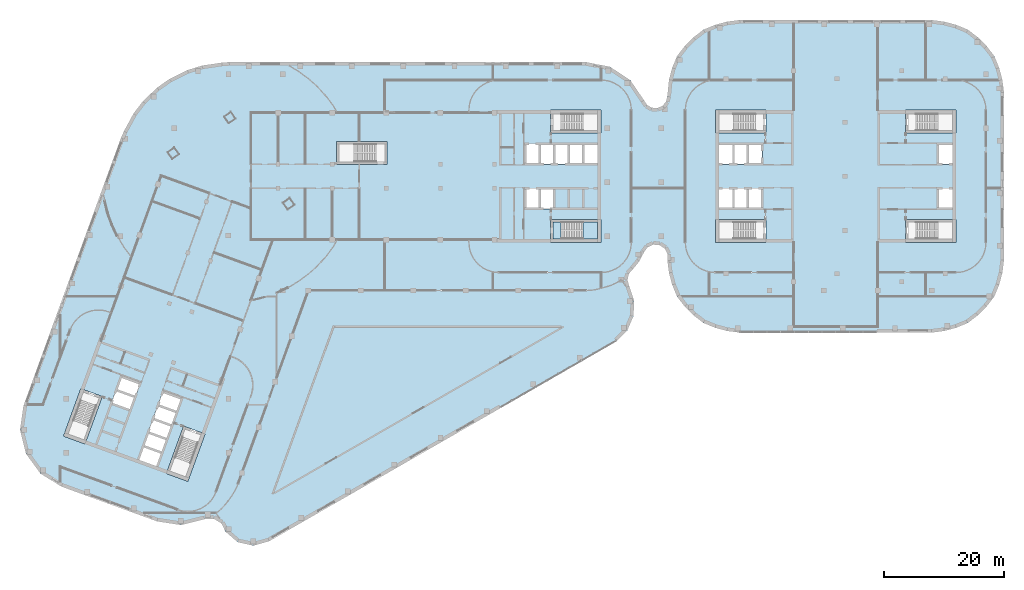
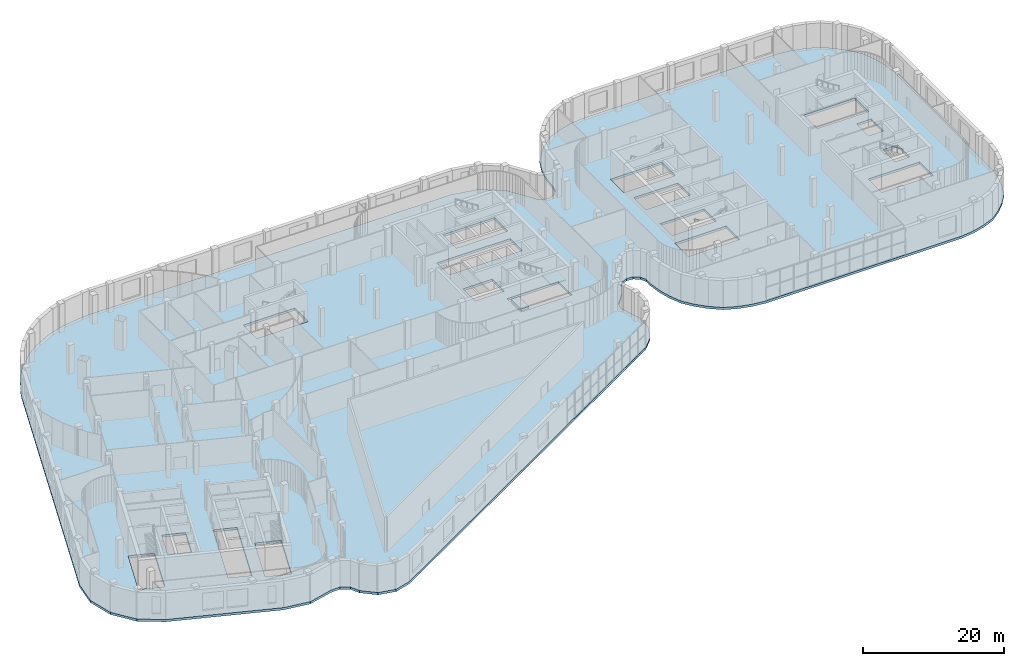
# One storey, part 6 of 24: 3 slabs, 1 element without a shape of its own.
"""IFC4 building model written with IfcOpenShell, lengths in metres."""

from ifc_helpers import new_model, si_unit, direction, frame, origin, place, context, subcontext, project, spatial, polyline, outline, extrude, material, layer, layer_set, type_object, element, aggregate, save


model = new_model("IFC4")

# Units and contexts
model_context = context("Model", 3, precision=1e-05, world=origin(), true_north=direction((0.0, 1.0)))
body_context = subcontext(model_context, "Body", "Model", "MODEL_VIEW")
ifc_project = project(units=[si_unit("LENGTHUNIT", "METRE"), si_unit("AREAUNIT", "SQUARE_METRE"), si_unit("VOLUMEUNIT", "CUBIC_METRE"), si_unit("PLANEANGLEUNIT", "RADIAN"), si_unit("MASSUNIT", "GRAM", prefix="KILO")], contexts=[model_context])

# Site, building, storey
site_placement = place(None, origin())
site = spatial("IfcSite", under=ifc_project, at=site_placement, CompositionType="ELEMENT")
building_placement = place(site_placement, origin())
building = spatial("IfcBuilding", under=site, at=building_placement, Name="Skarvind Civic Tower", CompositionType="ELEMENT")
storey_placement = place(building_placement, frame((0.0, 0.0, 12.5)))
storey = spatial("IfcBuildingStorey", under=building, at=storey_placement, Name="L02", CompositionType="ELEMENT", Elevation=12.5)

# Slabs
ifc_material_1 = material(Name="Concrete C50", Category="concrete")
ifc_layer_1 = layer(ifc_material_1, 0.39990234375)
ifc_layer_set_1 = layer_set([ifc_layer_1], Name="Podium floor slab 400 C50")
slab_type_1 = type_object("IfcSlabType", Name="Podium floor slab 400 C50", PredefinedType="FLOOR", material=ifc_layer_set_1)
slab_1_placement = place(storey_placement, frame((0.0, 0.0, -0.39990234375)))
element("IfcSlab", 1, at=slab_1_placement, inside=storey, type_object=slab_type_1, Name="Podium floor slab L02 1", PredefinedType="FLOOR", context=body_context, shape_type="SweptSolid", body=[
    extrude(outline(polyline([(52.751220703125, 67.291015625), (110.5869140625, 100.577880859375), (112.365234375, 102.4130859375), (113.374267578125, 104.760986328125), (113.4814453125, 107.314208984375), (112.6728515625, 109.73828125), (112.37109375, 110.751953125), (112.6005859375, 111.7841796875), (113.303466796875, 112.57470703125), (114.366455078125, 113.885009765625), (115.1328125, 115.388427734375), (115.75048828125, 116.2119140625), (116.6904296875, 116.63232421875), (117.716064453125, 116.54345703125), (118.56982421875, 115.968017578125), (119.036865234375, 115.05078125), (119.0, 114.021728515625), (119.2783203125, 111.908447265625), (119.8017578125, 109.95458984375), (120.610107421875, 108.001220703125), (121.897705078125, 106.32470703125), (123.32470703125, 104.897705078125), (125.001220703125, 103.610107421875), (126.95458984375, 102.8017578125), (128.908447265625, 102.2783203125), (131.021728515625, 102.0), (162.978271484375, 102.0), (165.091552734375, 102.2783203125), (167.04541015625, 102.8017578125), (168.998779296875, 103.610107421875), (170.67529296875, 104.897705078125), (172.102294921875, 106.32470703125), (173.389892578125, 108.001220703125), (174.1982421875, 109.95458984375), (174.7216796875, 111.908447265625), (175.0, 114.021728515625), (175.0, 141.978271484375), (174.7216796875, 144.091552734375), (174.1982421875, 146.04541015625), (173.389892578125, 147.998779296875), (172.102294921875, 149.67529296875), (170.67529296875, 151.102294921875), (168.998779296875, 152.389892578125), (167.04541015625, 153.1982421875), (165.091552734375, 153.7216796875), (162.978271484375, 154.0), (131.021728515625, 154.0), (128.908447265625, 153.7216796875), (126.95458984375, 153.1982421875), (125.001220703125, 152.389892578125), (123.32470703125, 151.102294921875), (121.897705078125, 149.67529296875), (120.610107421875, 147.998779296875), (119.8017578125, 146.04541015625), (119.2783203125, 144.091552734375), (119.0, 141.328369140625), (118.785400390625, 140.427490234375), (118.18798828125, 139.7197265625), (117.336181640625, 139.356689453125), (116.411865234375, 139.41650390625), (115.613525390625, 139.885986328125), (115.1123046875, 140.664794921875), (112.829345703125, 144.004638671875), (109.44921875, 146.227294921875), (105.478271484375, 147.0), (46.114013671875, 147.0), (44.900390625, 146.910400390625), (41.58837890625, 146.417724609375), (39.1904296875, 145.67041015625), (36.191162109375, 144.19775390625), (34.1337890625, 142.757080078125), (31.72412109375, 140.442626953125), (30.201904296875, 138.44482421875), (28.606201171875, 135.5009765625), (28.10693359375, 134.391357421875), (11.9072265625, 89.883544921875), (11.325439453125, 85.83349609375), (12.311279296875, 81.862548828125), (14.719482421875, 78.554931640625), (18.19580078125, 76.3974609375), (34.129638671875, 70.59814453125), (38.114990234375, 69.990478515625), (42.026611328125, 70.964111328125), (43.532470703125, 71.034423828125), (44.827880859375, 70.263916015625), (45.484619140625, 68.9072265625), (47.523193359375, 67.14111328125), (50.15625, 66.555419921875), (52.751220703125, 67.291015625)]), holes=[polyline([(32.625244140625, 85.40576171875), (32.625244140625, 85.40576171875), (33.446044921875, 87.660888671875), (34.26708984375, 89.916259765625), (35.087890625, 92.17138671875), (38.28271484375, 91.008544921875), (37.4619140625, 88.75341796875), (36.64111328125, 86.498046875), (35.8203125, 84.242919921875), (35.8203125, 84.242919921875), (34.99951171875, 81.987548828125), (34.178466796875, 79.732421875), (30.983642578125, 80.89501953125), (31.804443359375, 83.150390625), (32.625244140625, 85.40576171875)]), polyline([(35.664794921875, 78.552734375), (38.53759765625, 86.4462890625), (42.108642578125, 85.146484375), (39.235595703125, 77.253173828125), (35.664794921875, 78.552734375)]), polyline([(18.5625, 84.777587890625), (21.435302734375, 92.6708984375), (25.006103515625, 91.371337890625), (22.13330078125, 83.477783203125), (18.5625, 84.777587890625)]), polyline([(31.3291015625, 93.53955078125), (30.50830078125, 91.2841796875), (29.6875, 89.029052734375), (26.492431640625, 90.19189453125), (27.313232421875, 92.447021484375), (28.134033203125, 94.702392578125), (31.3291015625, 93.53955078125)]), polyline([(100.199951171875, 122.60009765625), (97.800048828125, 122.60009765625), (95.39990234375, 122.60009765625), (95.39990234375, 126.0), (97.800048828125, 126.0), (100.199951171875, 126.0), (100.199951171875, 122.60009765625)]), polyline([(102.60009765625, 133.39990234375), (105.0, 133.39990234375), (107.39990234375, 133.39990234375), (107.39990234375, 130.0), (105.0, 130.0), (102.60009765625, 130.0), (100.199951171875, 130.0), (97.800048828125, 130.0), (95.39990234375, 130.0), (95.39990234375, 133.39990234375), (97.800048828125, 133.39990234375), (100.199951171875, 133.39990234375), (102.60009765625, 133.39990234375)]), polyline([(64.0, 133.800048828125), (72.39990234375, 133.800048828125), (72.39990234375, 130.0), (64.0, 130.0), (64.0, 133.800048828125)]), polyline([(108.0, 135.199951171875), (99.60009765625, 135.199951171875), (99.60009765625, 139.0), (108.0, 139.0), (108.0, 135.199951171875)]), polyline([(108.0, 117.0), (99.60009765625, 117.0), (99.60009765625, 120.800048828125), (108.0, 120.800048828125), (108.0, 117.0)]), polyline([(127.0, 120.800048828125), (135.39990234375, 120.800048828125), (135.39990234375, 117.0), (127.0, 117.0), (127.0, 120.800048828125)]), polyline([(167.0, 117.0), (158.60009765625, 117.0), (158.60009765625, 120.800048828125), (167.0, 120.800048828125), (167.0, 117.0)]), polyline([(134.800048828125, 126.0), (134.800048828125, 122.60009765625), (132.39990234375, 122.60009765625), (130.0, 122.60009765625), (127.60009765625, 122.60009765625), (127.60009765625, 126.0), (130.0, 126.0), (132.39990234375, 126.0), (134.800048828125, 126.0)]), polyline([(166.39990234375, 122.60009765625), (164.0, 122.60009765625), (164.0, 126.0), (166.39990234375, 126.0), (166.39990234375, 122.60009765625)]), polyline([(134.800048828125, 133.39990234375), (134.800048828125, 130.0), (132.39990234375, 130.0), (130.0, 130.0), (127.60009765625, 130.0), (127.60009765625, 133.39990234375), (130.0, 133.39990234375), (132.39990234375, 133.39990234375), (134.800048828125, 133.39990234375)]), polyline([(166.39990234375, 130.0), (164.0, 130.0), (164.0, 133.39990234375), (166.39990234375, 133.39990234375), (166.39990234375, 130.0)]), polyline([(127.0, 139.0), (135.39990234375, 139.0), (135.39990234375, 135.199951171875), (127.0, 135.199951171875), (127.0, 139.0)]), polyline([(167.0, 135.199951171875), (158.60009765625, 135.199951171875), (158.60009765625, 139.0), (167.0, 139.0), (167.0, 135.199951171875)])]), origin(), (0.0, 0.0, 1.0), 0.39990234375),
])
ifc_material_2 = material(Name="Concrete C40/50", Category="concrete")
ifc_layer_2 = layer(ifc_material_2, 0.39990234375)
ifc_layer_set_2 = layer_set([ifc_layer_2], Name="Stair floor landing slab 400")
slab_type_2 = type_object("IfcSlabType", Name="Stair floor landing slab 400", PredefinedType="LANDING", material=ifc_layer_set_2)
slab_2_placement = place(storey_placement, frame((0.0, 0.0, -0.39990234375)))
element("IfcSlab", 2, at=slab_2_placement, inside=storey, type_object=slab_type_2, Name="Stair floor landing", PredefinedType="LANDING", context=body_context, shape_type="SweptSolid", body=[
    extrude(outline(polyline([(101.3505859375, 120.400634765625), (101.3505859375, 117.599365234375), (99.99951171875, 117.599365234375), (99.99951171875, 120.400634765625), (101.3505859375, 120.400634765625)])), origin(), (0.0, 0.0, 1.0), 0.39990234375),
])

# Stair, slab
stair_type = type_object("IfcStairType", Name="Exit stair, half-turn, concrete", PredefinedType="HALF_TURN_STAIR", material=ifc_material_2)
stair_placement = place(storey_placement, origin())
stair = element("IfcStair", 3, at=stair_placement, inside=storey, type_object=stair_type, Name="Exit stair C1N", PredefinedType="HALF_TURN_STAIR")
ifc_layer_3 = layer(ifc_material_2, 0.199951171875)
ifc_layer_set_3 = layer_set([ifc_layer_3], Name="Stair half landing slab")
slab_type_3 = type_object("IfcSlabType", Name="Stair half landing slab", PredefinedType="LANDING", material=ifc_layer_set_3)
slab_3_placement = place(storey_placement, frame((0.0, 0.0, 2.300048828125)))
slab_3 = element("IfcSlab", 4, at=slab_3_placement, type_object=slab_type_3, Name="ST-C1N landing 1", PredefinedType="LANDING", context=body_context, shape_type="SweptSolid", body=[
    extrude(outline(polyline([(104.989501953125, 117.599365234375), (104.989501953125, 120.400634765625), (107.400634765625, 120.400634765625), (107.400634765625, 117.599365234375), (104.989501953125, 117.599365234375)])), origin(), (0.0, 0.0, 1.0), 0.199951171875),
])
aggregate(stair, [slab_3])

save(model, "model.ifc")
